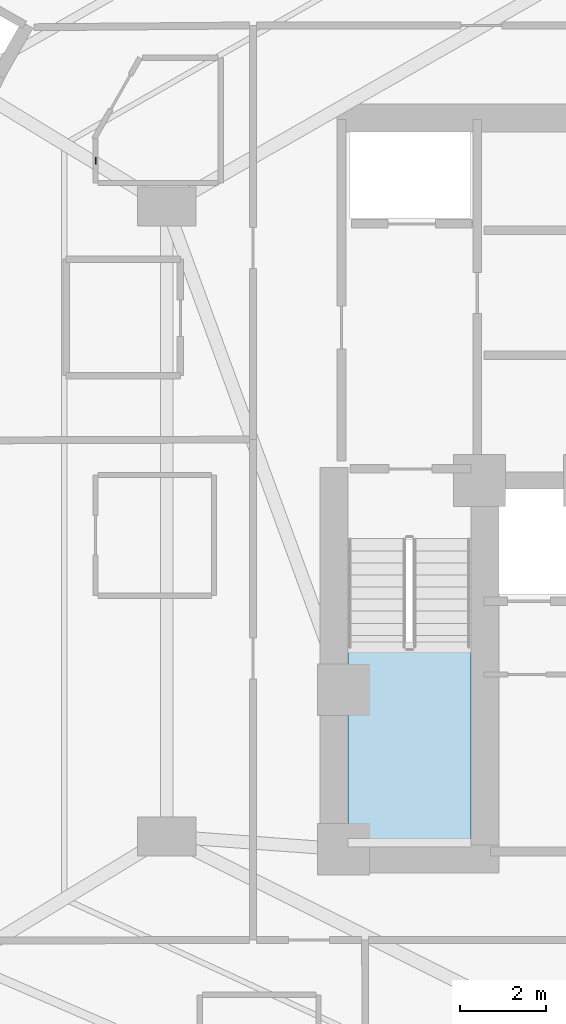
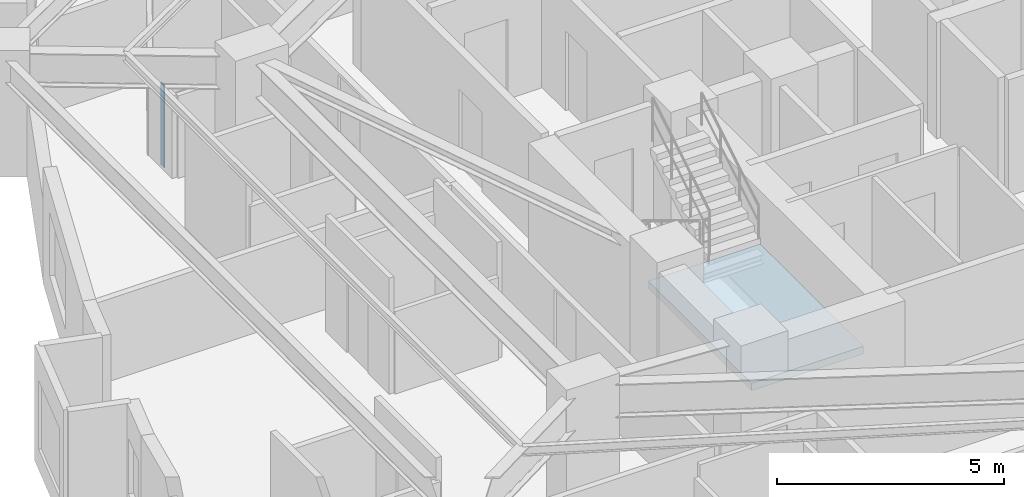
# One storey, part 3 of 11: 1 plate, 1 slab, 1 element without a shape of its own.
"""IFC4 building model written with IfcOpenShell, lengths in metres."""

import ifcopenshell
import ifcopenshell.guid

model = None  # the IFC model being written
_history = None  # IfcOwnerHistory: only IFC2X3 demands one
_inside = {}  # id of a spatial element -> (the spatial element, [elements in it])
_under = {}  # id of a project, library or spatial element -> (it, [spatial elements below it])
_declared = {}  # id of a project -> (the project, [libraries it declares])
_typed = {}  # id of a type object -> (the type object, [elements of that type])
_made_of = {}  # id of a material, layer set ... -> (it, [elements and type objects made of it])


def new_model(schema):
    """Start an empty IFC model of exactly this schema.

    Asked for "IFC4X3", IfcOpenShell would pick the latest addendum, in which some entities
    have other attributes; the version numbers below select the first issue.
    IFC2X3 requires an IfcOwnerHistory on every rooted entity: one is made here for all.
    """
    global model, _history
    if schema == "IFC4X3":
        model = ifcopenshell.file(schema_version=(4, 3, 0, 0))
    else:
        model = ifcopenshell.file(schema=schema)
    _inside.clear()
    _under.clear()
    _declared.clear()
    _typed.clear()
    _made_of.clear()
    _history = None
    if model.schema == "IFC2X3":
        org = make("IfcOrganization", Name="unknown")
        user = make(
            "IfcPersonAndOrganization",
            ThePerson=make("IfcPerson", FamilyName="unknown"),
            TheOrganization=org,
        )
        app = make(
            "IfcApplication",
            ApplicationDeveloper=org,
            Version="unknown",
            ApplicationFullName="unknown",
            ApplicationIdentifier="unknown",
        )
        _history = make(
            "IfcOwnerHistory",
            OwningUser=user,
            OwningApplication=app,
            ChangeAction="ADDED",
            CreationDate=0,
        )
    return model


def make(cls, **values):
    """One entity of the class cls with the attributes given. An attribute that is None is left unset."""
    return model.create_entity(
        cls, **{name: value for name, value in values.items() if value is not None}
    )


def rooted(cls, **values):
    """An entity with a GlobalId (a new one), such as an element, a storey or a relation."""
    return make(cls, GlobalId=ifcopenshell.guid.new(), OwnerHistory=_history, **values)


def si_unit(unit_type, name, prefix=None):
    """IfcSIUnit, for example si_unit("LENGTHUNIT", "METRE", prefix="MILLI")."""
    return make("IfcSIUnit", UnitType=unit_type, Prefix=prefix, Name=name)


def assignment(units):
    """IfcUnitAssignment: the units of a project."""
    return None if units is None else make("IfcUnitAssignment", Units=units)


def point(xyz):
    """IfcCartesianPoint."""
    return None if xyz is None else make("IfcCartesianPoint", Coordinates=xyz)


def direction(xyz):
    """IfcDirection."""
    return None if xyz is None else make("IfcDirection", DirectionRatios=xyz)


def frame(location, z_axis=None, x_axis=None):
    """IfcAxis2Placement3D, a coordinate frame: its origin and axes. An axis left out is left unset."""
    return make(
        "IfcAxis2Placement3D",
        Location=point(location),
        Axis=direction(z_axis),
        RefDirection=direction(x_axis),
    )


def frame_2d(location, x_axis=None):
    """IfcAxis2Placement2D, a coordinate frame in the plane: its origin and x axis."""
    return make(
        "IfcAxis2Placement2D", Location=point(location), RefDirection=direction(x_axis)
    )


def origin():
    """The frame at (0, 0, 0) with its axes left unset."""
    return frame((0.0, 0.0, 0.0))


def origin_2d():
    """The frame at (0, 0) in the plane with its x axis left unset."""
    return frame_2d((0.0, 0.0))


def place(relative_to, where):
    """IfcLocalPlacement: puts the frame where relative to a parent placement (None: the world)."""
    return make(
        "IfcLocalPlacement", PlacementRelTo=relative_to, RelativePlacement=where
    )


def context(
    kind, dimensions, precision=None, world=None, true_north=None, identifier=None
):
    """IfcGeometricRepresentationContext, for example the 3D "Model" context."""
    return make(
        "IfcGeometricRepresentationContext",
        ContextIdentifier=identifier,
        ContextType=kind,
        CoordinateSpaceDimension=dimensions,
        Precision=precision,
        WorldCoordinateSystem=world,
        TrueNorth=true_north,
    )


def subcontext(parent, identifier, kind, view, scale=None):
    """IfcGeometricRepresentationSubContext, for example "Body" below "Model"."""
    return make(
        "IfcGeometricRepresentationSubContext",
        ContextIdentifier=identifier,
        ContextType=kind,
        ParentContext=parent,
        TargetScale=scale,
        TargetView=view,
    )


def project(units=None, contexts=None):
    """IfcProject with its units and contexts."""
    return rooted(
        "IfcProject",
        Name="project",
        RepresentationContexts=contexts,
        UnitsInContext=assignment(units),
    )


def spatial(cls, under=None, at=None, **own):
    """A site, building, storey or space (cls), placed at a placement, below another one or the project."""
    s = rooted(cls, ObjectPlacement=at, **own)
    if under is not None:
        _under.setdefault(under.id(), (under, []))[1].append(s)
    return s


def polyline(points):
    """IfcPolyline through the points."""
    return make("IfcPolyline", Points=[point(p) for p in points])


def profile(cls, at=None, kind="AREA", **sizes):
    """A parametric profile (cls). Its sizes go by their IFC names, for example OverallWidth=200.0."""
    return make(cls, ProfileType=kind, Position=at, **sizes)


def rectangle(**sizes):
    """IfcRectangleProfileDef."""
    return profile("IfcRectangleProfileDef", **sizes)


def outline(outer, holes=None, kind="AREA"):
    """IfcArbitraryClosedProfileDef: a profile drawn as a closed curve; with holes, ...WithVoids."""
    if holes is None:
        return make("IfcArbitraryClosedProfileDef", ProfileType=kind, OuterCurve=outer)
    return make(
        "IfcArbitraryProfileDefWithVoids",
        ProfileType=kind,
        OuterCurve=outer,
        InnerCurves=holes,
    )


def extrude(swept, where, along, depth):
    """IfcExtrudedAreaSolid: the profile swept, set in the frame where, extruded along a direction by depth."""
    return make(
        "IfcExtrudedAreaSolid",
        SweptArea=swept,
        Position=where,
        ExtrudedDirection=direction(along),
        Depth=depth,
    )


def shape(context_of_items, identifier, shape_type, items):
    """IfcShapeRepresentation: the items that make up one representation, for example the "Body"."""
    return make(
        "IfcShapeRepresentation",
        ContextOfItems=context_of_items,
        RepresentationIdentifier=identifier,
        RepresentationType=shape_type,
        Items=items,
    )


def material(Name=None, Category=None):
    """IfcMaterial."""
    return make("IfcMaterial", Name=Name, Category=Category)


def layer(
    of_material, thickness, ventilated=None, Name=None, Category=None, Priority=None
):
    """IfcMaterialLayer: one layer of a wall or slab, of a material (None: an air gap)."""
    return make(
        "IfcMaterialLayer",
        Material=of_material,
        LayerThickness=thickness,
        IsVentilated=ventilated,
        Name=Name,
        Category=Category,
        Priority=Priority,
    )


def layer_set(layers, Name=None):
    """IfcMaterialLayerSet."""
    return make("IfcMaterialLayerSet", MaterialLayers=layers, LayerSetName=Name)


def made_of(thing, what):
    """Note that an element or type object is made of a material, layer set ...; save() writes the relation."""
    if what is not None:
        _made_of.setdefault(what.id(), (what, []))[1].append(thing)
    return thing


def type_object(cls, material=None, **own):
    """A type object (cls), such as IfcWallType, which elements share."""
    return made_of(rooted(cls, **own), material)


def element(
    cls,
    number,
    at=None,
    inside=None,
    cuts=None,
    type_object=None,
    material=None,
    context=None,
    identifier="Body",
    shape_type=None,
    held_by="IfcProductDefinitionShape",
    body=None,
    shapes=None,
    **own,
):
    """One element of the class cls, such as IfcWall. Its Tag is "e" and its number.

    at: its placement. inside: the storey or other place that contains it. cuts: it is an
    opening in that element (IfcRelVoidsElement). A single representation is given by context,
    identifier, shape_type and body (its items); several are given by shapes. held_by: the class
    of the entity that holds the representations. save() writes the other relations.
    """
    e = rooted(cls, Tag="e%d" % number, ObjectPlacement=at, **own)
    if body is not None:
        shapes = [shape(context, identifier, shape_type, body)]
    if shapes is not None:
        e.Representation = make(held_by, Representations=shapes)
    if inside is not None:
        _inside.setdefault(inside.id(), (inside, []))[1].append(e)
    if cuts is not None:
        rooted(
            "IfcRelVoidsElement", RelatingBuildingElement=cuts, RelatedOpeningElement=e
        )
    if type_object is not None:
        _typed.setdefault(type_object.id(), (type_object, []))[1].append(e)
    return made_of(e, material)


def aggregate(whole, parts):
    """IfcRelAggregates: a whole, such as a stair, and the parts it consists of."""
    return rooted("IfcRelAggregates", RelatingObject=whole, RelatedObjects=parts)


def save(model, path):
    """Write the relations noted so far, then the file.

    IfcRelAggregates (storeys below a building ...), IfcRelContainedInSpatialStructure (elements
    in a storey), IfcRelDefinesByType, IfcRelAssociatesMaterial and IfcRelDeclares: one each for
    every whole, place, type object, material and project.
    """
    for whole, parts in _under.values():
        aggregate(whole, parts)
    for where, things in _inside.values():
        rooted(
            "IfcRelContainedInSpatialStructure",
            RelatedElements=things,
            RelatingStructure=where,
        )
    for kind, things in _typed.values():
        rooted("IfcRelDefinesByType", RelatedObjects=things, RelatingType=kind)
    for what, things in _made_of.values():
        rooted("IfcRelAssociatesMaterial", RelatedObjects=things, RelatingMaterial=what)
    for by, libraries in _declared.values():
        rooted("IfcRelDeclares", RelatingContext=by, RelatedDefinitions=libraries)
    model.write(path)


model = new_model("IFC4")

# Units and contexts
model_context = context("Model", 3, precision=1e-05, world=origin(), true_north=direction((0.0, 1.0)))
body_context = subcontext(model_context, "Body", "Model", "MODEL_VIEW")
ifc_project = project(units=[si_unit("LENGTHUNIT", "METRE"), si_unit("AREAUNIT", "SQUARE_METRE"), si_unit("VOLUMEUNIT", "CUBIC_METRE"), si_unit("PLANEANGLEUNIT", "RADIAN"), si_unit("MASSUNIT", "GRAM", prefix="KILO")], contexts=[model_context])

# Site, building, storey
site_placement = place(None, origin())
site = spatial("IfcSite", under=ifc_project, at=site_placement, CompositionType="ELEMENT")
building_placement = place(site_placement, origin())
building = spatial("IfcBuilding", under=site, at=building_placement, Name="Miruveldt Soraemaru", CompositionType="ELEMENT")
storey_placement = place(building_placement, frame((0.0, 0.0, 66.60009765625)))
storey = spatial("IfcBuildingStorey", under=building, at=storey_placement, Name="L18", CompositionType="ELEMENT", Elevation=66.60009765625)

# Plate
ifc_material_1 = material(Name="Anodised aluminium EN AW-6063 T6", Category="aluminium")
ifc_layer_1 = layer(ifc_material_1, 0.02001953125, Name="Anodised aluminium EN AW-6063 T6", Category="aluminium")
ifc_layer_set_1 = layer_set([ifc_layer_1], Name="Anodised aluminium EN AW-6063 T6")
plate_type = type_object("IfcPlateType", Name="PLT-PART-TRIM", PredefinedType="SHEET", material=ifc_layer_set_1)
plate_placement = place(storey_placement, frame((29.75, 51.466552734375, 0.0), z_axis=(0.0, 0.0, 1.0), x_axis=(0.0, 1.0, 0.0)))
element("IfcPlate", 1, at=plate_placement, inside=storey, type_object=plate_type, Name="L18 Partition Step Corner Trim Plate 047", PredefinedType="SHEET", context=body_context, shape_type="SweptSolid", body=[
    extrude(rectangle(XDim=0.159912109375, YDim=0.02001953125, at=origin_2d()), origin(), (0.0, 0.0, 1.0), 2.219970703125),
])

# Stair, slab
ifc_material_2 = material(Name="Concrete C40/50 (40 MPa)", Category="concrete")
stair_type = type_object("IfcStairType", Name="STAIR-DL-340", PredefinedType="HALF_TURN_STAIR", material=ifc_material_2)
stair_placement = place(storey_placement, origin())
stair = element("IfcStair", 2, at=stair_placement, inside=storey, type_object=stair_type, Name="L18 Protected Exit Stair ST-1", PredefinedType="HALF_TURN_STAIR")
ifc_layer_2 = layer(ifc_material_2, 0.199951171875, Name="Concrete C40/50 (40 MPa)", Category="concrete")
ifc_layer_set_2 = layer_set([ifc_layer_2], Name="Concrete C40/50 (40 MPa)")
slab_type = type_object("IfcSlabType", Name="SLAB-LAND-200", PredefinedType="LANDING", material=ifc_layer_set_2)
slab_placement = place(storey_placement, frame((0.0, 0.0, 1.5)))
slab = element("IfcSlab", 3, at=slab_placement, type_object=slab_type, Name="ST-1 landing 1", PredefinedType="LANDING", context=body_context, shape_type="SweptSolid", body=[
    extrude(outline(polyline([(35.60009765625, 40.197998046875), (35.60009765625, 35.64990234375), (38.449951171875, 35.64990234375), (38.449951171875, 40.197998046875), (35.60009765625, 40.197998046875)])), origin(), (0.0, 0.0, 1.0), 0.199951171875),
])
aggregate(stair, [slab])

save(model, "model.ifc")
